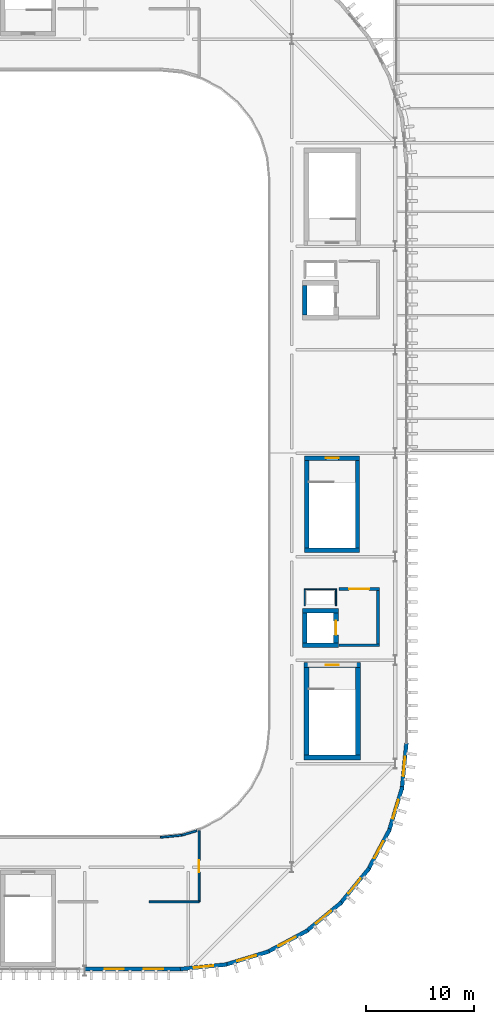
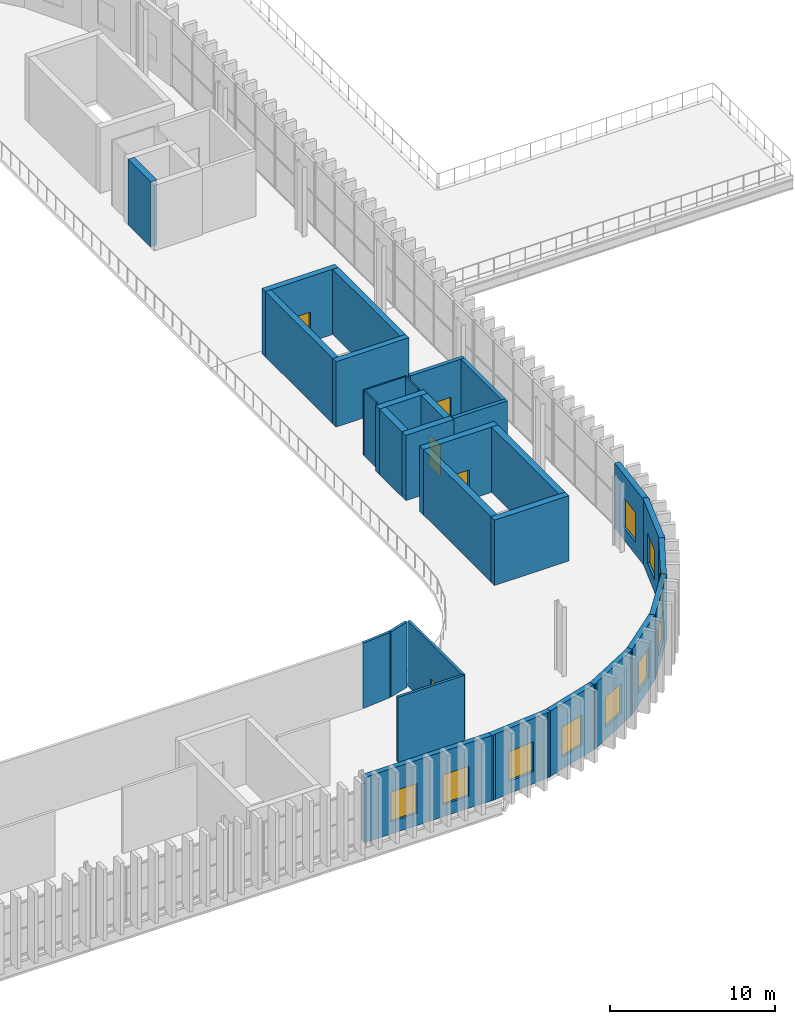
# One storey, part 32 of 45: 32 walls, 10 windows, 5 doors, 15 openings.
"""IFC4 building model written with IfcOpenShell, lengths in metres."""

from ifc_helpers import new_model, si_unit, direction, frame, frame_2d, origin, place, context, subcontext, project, spatial, rectangle, extrude, material, layer, layer_set, type_object, element, fill, save


model = new_model("IFC4")

# Units and contexts
model_context = context("Model", 3, precision=1e-05, world=origin(), true_north=direction((0.0, 1.0)))
body_context = subcontext(model_context, "Body", "Model", "MODEL_VIEW")
ifc_project = project(units=[si_unit("LENGTHUNIT", "METRE"), si_unit("AREAUNIT", "SQUARE_METRE"), si_unit("VOLUMEUNIT", "CUBIC_METRE"), si_unit("PLANEANGLEUNIT", "RADIAN"), si_unit("MASSUNIT", "GRAM", prefix="KILO")], contexts=[model_context])

# Site, building, storey
site_placement = place(None, origin())
site = spatial("IfcSite", under=ifc_project, at=site_placement, CompositionType="ELEMENT")
building_placement = place(site_placement, origin())
building = spatial("IfcBuilding", under=site, at=building_placement, Name="Caelomonte Colonnade Arena", CompositionType="ELEMENT")
storey_placement = place(building_placement, frame((0.0, 0.0, 23.10009765625)))
storey = spatial("IfcBuildingStorey", under=building, at=storey_placement, Name="L05", CompositionType="ELEMENT", Elevation=23.10009765625)

# Wall, openings, windows
ifc_material_1 = material(Name="Precast concrete C40/50", Category="concrete")
ifc_layer_1 = layer(ifc_material_1, 0.360107421875)
ifc_layer_set_1 = layer_set([ifc_layer_1], Name="Precast concrete C40/50")
wall_type_1 = type_object("IfcWallType", Name="ENV-WL-EXT36", PredefinedType="SOLIDWALL", material=ifc_layer_set_1)
wall_1_placement = place(storey_placement, frame((134.39990234375, 19.3798828125, 0.0), z_axis=(0.0, 0.0, 1.0), x_axis=(1.0, 0.0, 0.0)))
wall_1 = element("IfcWall", 1, at=wall_1_placement, inside=storey, type_object=wall_type_1, Name="L05 exterior wall EW-L05-0348", PredefinedType="SOLIDWALL", context=body_context, shape_type="SweptSolid", body=[
    extrude(rectangle(XDim=9.1201171875, YDim=0.360107421875, at=frame_2d((4.56005859375, 0.0))), origin(), (0.0, 0.0, 1.0), 4.81982421875),
])
opening_1_placement = place(wall_1_placement, frame((3.64013671875, 0.0, 0.89990234375), z_axis=(0.0, 0.0, 1.0), x_axis=(-1.0, 0.0, 0.0)))
opening_1 = element("IfcOpeningElement", 2, at=opening_1_placement, cuts=wall_1, Name="Opening WN-03", PredefinedType="OPENING", context=body_context, shape_type="SweptSolid", body=[
    extrude(rectangle(XDim=1.800048828125, YDim=2.199951171875, at=frame_2d((0.89990234375, 1.10009765625))), frame((0.0, 0.18994140625, 0.0), z_axis=(0.0, -1.0, 0.0), x_axis=(1.0, 0.0, 0.0)), (0.0, 0.0, 1.0), 0.380126953125),
])
opening_2_placement = place(wall_1_placement, frame((7.280029296875, 0.0, 0.89990234375), z_axis=(0.0, 0.0, 1.0), x_axis=(-1.0, 0.0, 0.0)))
opening_2 = element("IfcOpeningElement", 3, at=opening_2_placement, cuts=wall_1, Name="Opening WN-03", PredefinedType="OPENING", context=body_context, shape_type="SweptSolid", body=[
    extrude(rectangle(XDim=1.800048828125, YDim=2.199951171875, at=frame_2d((0.89990234375, 1.10009765625))), frame((0.0, 0.18994140625, 0.0), z_axis=(0.0, -1.0, 0.0), x_axis=(1.0, 0.0, 0.0)), (0.0, 0.0, 1.0), 0.380126953125),
])
ifc_material_2 = material(Name="Solar-control bronze low-E double glazing", Category="glass")
window_type = type_object("IfcWindowType", Name="ENV-WN-V3C", PartitioningType="DOUBLE_PANEL_VERTICAL", PredefinedType="WINDOW", material=ifc_material_2)
window_1_placement = place(opening_1_placement, origin())
window_1 = element("IfcWindow", 4, at=window_1_placement, inside=storey, type_object=window_type, Name="L05 facade window 308", OverallHeight=2.199951171875, OverallWidth=1.800048828125, PartitioningType="SINGLE_PANEL", PredefinedType="WINDOW", context=body_context, shape_type="SweptSolid", body=[
    extrude(rectangle(XDim=1.800048828125, YDim=2.199951171875, at=frame_2d((0.89990234375, 1.10009765625))), frame((0.0, 0.030029296875, 0.0), z_axis=(0.0, -1.0, 0.0), x_axis=(1.0, 0.0, 0.0)), (0.0, 0.0, 1.0), 0.06005859375),
])
fill(opening_1, window_1)
window_2_placement = place(opening_2_placement, origin())
window_2 = element("IfcWindow", 5, at=window_2_placement, inside=storey, type_object=window_type, Name="L05 facade window 309", OverallHeight=2.199951171875, OverallWidth=1.800048828125, PartitioningType="SINGLE_PANEL", PredefinedType="WINDOW", context=body_context, shape_type="SweptSolid", body=[
    extrude(rectangle(XDim=1.800048828125, YDim=2.199951171875, at=frame_2d((0.89990234375, 1.10009765625))), frame((0.0, 0.030029296875, 0.0), z_axis=(0.0, -1.0, 0.0), x_axis=(1.0, 0.0, 0.0)), (0.0, 0.0, 1.0), 0.06005859375),
])
fill(opening_2, window_2)

# Wall, opening, window
wall_2_placement = place(storey_placement, frame((143.262939453125, 19.367431640625, 0.0), z_axis=(0.0, 0.0, 1.0), x_axis=(0.99518532156, 0.098011100141, 0.0)))
wall_2 = element("IfcWall", 6, at=wall_2_placement, inside=storey, type_object=wall_type_1, Name="L05 exterior wall EW-L05-0349", PredefinedType="SOLIDWALL", context=body_context, shape_type="SweptSolid", body=[
    extrude(rectangle(XDim=4.356689453125, YDim=0.360107421875, at=frame_2d((2.17822265625, 0.0))), origin(), (0.0, 0.0, 1.0), 4.81982421875),
])
opening_3_placement = place(wall_2_placement, frame((3.078369140625, 0.0, 0.89990234375), z_axis=(0.0, 0.0, 1.0), x_axis=(-1.0, 0.0, 0.0)))
opening_3 = element("IfcOpeningElement", 7, at=opening_3_placement, cuts=wall_2, Name="Opening WN-03", PredefinedType="OPENING", context=body_context, shape_type="SweptSolid", body=[
    extrude(rectangle(XDim=1.800048828125, YDim=2.199951171875, at=frame_2d((0.89990234375, 1.10009765625))), frame((0.0, 0.18994140625, 0.0), z_axis=(0.0, -1.0, 0.0), x_axis=(1.0, 0.0, 0.0)), (0.0, 0.0, 1.0), 0.380126953125),
])
window_3_placement = place(opening_3_placement, origin())
window_3 = element("IfcWindow", 8, at=window_3_placement, inside=storey, type_object=window_type, Name="L05 facade window 310", OverallHeight=2.199951171875, OverallWidth=1.800048828125, PartitioningType="SINGLE_PANEL", PredefinedType="WINDOW", context=body_context, shape_type="SweptSolid", body=[
    extrude(rectangle(XDim=1.800048828125, YDim=2.199951171875, at=frame_2d((0.89990234375, 1.10009765625))), frame((0.0, 0.030029296875, 0.0), z_axis=(0.0, -1.0, 0.0), x_axis=(1.0, 0.0, 0.0)), (0.0, 0.0, 1.0), 0.06005859375),
])
fill(opening_3, window_3)

wall_3_placement = place(storey_placement, frame((147.329833984375, 19.740966796875, 0.0), z_axis=(0.0, 0.0, 1.0), x_axis=(0.956944247693, 0.290271780936, 0.0)))
wall_3 = element("IfcWall", 9, at=wall_3_placement, inside=storey, type_object=wall_type_1, Name="L05 exterior wall EW-L05-0350", PredefinedType="SOLIDWALL", context=body_context, shape_type="SweptSolid", body=[
    extrude(rectangle(XDim=4.356689453125, YDim=0.360107421875, at=frame_2d((2.17822265625, 0.0))), origin(), (0.0, 0.0, 1.0), 4.81982421875),
])
opening_4_placement = place(wall_3_placement, frame((3.078369140625, 0.0, 0.89990234375), z_axis=(0.0, 0.0, 1.0), x_axis=(-1.0, 0.0, 0.0)))
opening_4 = element("IfcOpeningElement", 10, at=opening_4_placement, cuts=wall_3, Name="Opening WN-03", PredefinedType="OPENING", context=body_context, shape_type="SweptSolid", body=[
    extrude(rectangle(XDim=1.800048828125, YDim=2.199951171875, at=frame_2d((0.89990234375, 1.10009765625))), frame((0.0, 0.18994140625, 0.0), z_axis=(0.0, -1.0, 0.0), x_axis=(1.0, 0.0, 0.0)), (0.0, 0.0, 1.0), 0.380126953125),
])
window_4_placement = place(opening_4_placement, origin())
window_4 = element("IfcWindow", 11, at=window_4_placement, inside=storey, type_object=window_type, Name="L05 facade window 311", OverallHeight=2.199951171875, OverallWidth=1.800048828125, PartitioningType="SINGLE_PANEL", PredefinedType="WINDOW", context=body_context, shape_type="SweptSolid", body=[
    extrude(rectangle(XDim=1.800048828125, YDim=2.199951171875, at=frame_2d((0.89990234375, 1.10009765625))), frame((0.0, 0.030029296875, 0.0), z_axis=(0.0, -1.0, 0.0), x_axis=(1.0, 0.0, 0.0)), (0.0, 0.0, 1.0), 0.06005859375),
])
fill(opening_4, window_4)

wall_4_placement = place(storey_placement, frame((151.24560546875, 20.900634765625, 0.0), z_axis=(0.0, 0.0, 1.0), x_axis=(0.881924438709, 0.471390797968, 0.0)))
wall_4 = element("IfcWall", 12, at=wall_4_placement, inside=storey, type_object=wall_type_1, Name="L05 exterior wall EW-L05-0351", PredefinedType="SOLIDWALL", context=body_context, shape_type="SweptSolid", body=[
    extrude(rectangle(XDim=4.356689453125, YDim=0.360107421875, at=frame_2d((2.17822265625, 0.0))), origin(), (0.0, 0.0, 1.0), 4.81982421875),
])
opening_5_placement = place(wall_4_placement, frame((3.078369140625, 0.0, 0.89990234375), z_axis=(0.0, 0.0, 1.0), x_axis=(-1.0, 0.0, 0.0)))
opening_5 = element("IfcOpeningElement", 13, at=opening_5_placement, cuts=wall_4, Name="Opening WN-03", PredefinedType="OPENING", context=body_context, shape_type="SweptSolid", body=[
    extrude(rectangle(XDim=1.800048828125, YDim=2.199951171875, at=frame_2d((0.89990234375, 1.10009765625))), frame((0.0, 0.18994140625, 0.0), z_axis=(0.0, -1.0, 0.0), x_axis=(1.0, 0.0, 0.0)), (0.0, 0.0, 1.0), 0.380126953125),
])
window_5_placement = place(opening_5_placement, origin())
window_5 = element("IfcWindow", 14, at=window_5_placement, inside=storey, type_object=window_type, Name="L05 facade window 312", OverallHeight=2.199951171875, OverallWidth=1.800048828125, PartitioningType="SINGLE_PANEL", PredefinedType="WINDOW", context=body_context, shape_type="SweptSolid", body=[
    extrude(rectangle(XDim=1.800048828125, YDim=2.199951171875, at=frame_2d((0.89990234375, 1.10009765625))), frame((0.0, 0.030029296875, 0.0), z_axis=(0.0, -1.0, 0.0), x_axis=(1.0, 0.0, 0.0)), (0.0, 0.0, 1.0), 0.06005859375),
])
fill(opening_5, window_5)

wall_5_placement = place(storey_placement, frame((154.860107421875, 22.802001953125, 0.0), z_axis=(0.0, 0.0, 1.0), x_axis=(0.772967672024, 0.634445409791, 0.0)))
wall_5 = element("IfcWall", 15, at=wall_5_placement, inside=storey, type_object=wall_type_1, Name="L05 exterior wall EW-L05-0352", PredefinedType="SOLIDWALL", context=body_context, shape_type="SweptSolid", body=[
    extrude(rectangle(XDim=4.35693359375, YDim=0.360107421875, at=frame_2d((2.178466796875, 0.0))), origin(), (0.0, 0.0, 1.0), 4.81982421875),
])
opening_6_placement = place(wall_5_placement, frame((3.078369140625, 0.0, 0.89990234375), z_axis=(0.0, 0.0, 1.0), x_axis=(-1.0, 0.0, 0.0)))
opening_6 = element("IfcOpeningElement", 16, at=opening_6_placement, cuts=wall_5, Name="Opening WN-03", PredefinedType="OPENING", context=body_context, shape_type="SweptSolid", body=[
    extrude(rectangle(XDim=1.800048828125, YDim=2.199951171875, at=frame_2d((0.89990234375, 1.10009765625))), frame((0.0, 0.18994140625, 0.0), z_axis=(0.0, -1.0, 0.0), x_axis=(1.0, 0.0, 0.0)), (0.0, 0.0, 1.0), 0.380126953125),
])
window_6_placement = place(opening_6_placement, origin())
window_6 = element("IfcWindow", 17, at=window_6_placement, inside=storey, type_object=window_type, Name="L05 facade window 313", OverallHeight=2.199951171875, OverallWidth=1.800048828125, PartitioningType="SINGLE_PANEL", PredefinedType="WINDOW", context=body_context, shape_type="SweptSolid", body=[
    extrude(rectangle(XDim=1.800048828125, YDim=2.199951171875, at=frame_2d((0.89990234375, 1.10009765625))), frame((0.0, 0.030029296875, 0.0), z_axis=(0.0, -1.0, 0.0), x_axis=(1.0, 0.0, 0.0)), (0.0, 0.0, 1.0), 0.06005859375),
])
fill(opening_6, window_6)

wall_6_placement = place(storey_placement, frame((158.033935546875, 25.372314453125, 0.0), z_axis=(0.0, 0.0, 1.0), x_axis=(0.634411927364, 0.772995152907, 0.0)))
wall_6 = element("IfcWall", 18, at=wall_6_placement, inside=storey, type_object=wall_type_1, Name="L05 exterior wall EW-L05-0353", PredefinedType="SOLIDWALL", context=body_context, shape_type="SweptSolid", body=[
    extrude(rectangle(XDim=4.356689453125, YDim=0.360107421875, at=frame_2d((2.17822265625, 0.0))), origin(), (0.0, 0.0, 1.0), 4.81982421875),
])
opening_7_placement = place(wall_6_placement, frame((3.078369140625, 0.0, 0.89990234375), z_axis=(0.0, 0.0, 1.0), x_axis=(-1.0, 0.0, 0.0)))
opening_7 = element("IfcOpeningElement", 19, at=opening_7_placement, cuts=wall_6, Name="Opening WN-03", PredefinedType="OPENING", context=body_context, shape_type="SweptSolid", body=[
    extrude(rectangle(XDim=1.800048828125, YDim=2.199951171875, at=frame_2d((0.89990234375, 1.10009765625))), frame((0.0, 0.18994140625, 0.0), z_axis=(0.0, -1.0, 0.0), x_axis=(1.0, 0.0, 0.0)), (0.0, 0.0, 1.0), 0.380126953125),
])
window_7_placement = place(opening_7_placement, origin())
window_7 = element("IfcWindow", 20, at=window_7_placement, inside=storey, type_object=window_type, Name="L05 facade window 314", OverallHeight=2.199951171875, OverallWidth=1.800048828125, PartitioningType="SINGLE_PANEL", PredefinedType="WINDOW", context=body_context, shape_type="SweptSolid", body=[
    extrude(rectangle(XDim=1.800048828125, YDim=2.199951171875, at=frame_2d((0.89990234375, 1.10009765625))), frame((0.0, 0.030029296875, 0.0), z_axis=(0.0, -1.0, 0.0), x_axis=(1.0, 0.0, 0.0)), (0.0, 0.0, 1.0), 0.06005859375),
])
fill(opening_7, window_7)

wall_7_placement = place(storey_placement, frame((160.6455078125, 28.511962890625, 0.0), z_axis=(0.0, 0.0, 1.0), x_axis=(0.471390797968, 0.881924438709, 0.0)))
wall_7 = element("IfcWall", 21, at=wall_7_placement, inside=storey, type_object=wall_type_1, Name="L05 exterior wall EW-L05-0354", PredefinedType="SOLIDWALL", context=body_context, shape_type="SweptSolid", body=[
    extrude(rectangle(XDim=4.356689453125, YDim=0.360107421875, at=frame_2d((2.17822265625, 0.0))), origin(), (0.0, 0.0, 1.0), 4.81982421875),
])
opening_8_placement = place(wall_7_placement, frame((3.078369140625, 0.0, 0.89990234375), z_axis=(0.0, 0.0, 1.0), x_axis=(-1.0, 0.0, 0.0)))
opening_8 = element("IfcOpeningElement", 22, at=opening_8_placement, cuts=wall_7, Name="Opening WN-03", PredefinedType="OPENING", context=body_context, shape_type="SweptSolid", body=[
    extrude(rectangle(XDim=1.800048828125, YDim=2.199951171875, at=frame_2d((0.89990234375, 1.10009765625))), frame((0.0, 0.18994140625, 0.0), z_axis=(0.0, -1.0, 0.0), x_axis=(1.0, 0.0, 0.0)), (0.0, 0.0, 1.0), 0.380126953125),
])
window_8_placement = place(opening_8_placement, origin())
window_8 = element("IfcWindow", 23, at=window_8_placement, inside=storey, type_object=window_type, Name="L05 facade window 315", OverallHeight=2.199951171875, OverallWidth=1.800048828125, PartitioningType="SINGLE_PANEL", PredefinedType="WINDOW", context=body_context, shape_type="SweptSolid", body=[
    extrude(rectangle(XDim=1.800048828125, YDim=2.199951171875, at=frame_2d((0.89990234375, 1.10009765625))), frame((0.0, 0.030029296875, 0.0), z_axis=(0.0, -1.0, 0.0), x_axis=(1.0, 0.0, 0.0)), (0.0, 0.0, 1.0), 0.06005859375),
])
fill(opening_8, window_8)

wall_8_placement = place(storey_placement, frame((162.594482421875, 32.10107421875, 0.0), z_axis=(0.0, 0.0, 1.0), x_axis=(0.290271780936, 0.956944247693, 0.0)))
wall_8 = element("IfcWall", 24, at=wall_8_placement, inside=storey, type_object=wall_type_1, Name="L05 exterior wall EW-L05-0355", PredefinedType="SOLIDWALL", context=body_context, shape_type="SweptSolid", body=[
    extrude(rectangle(XDim=4.356689453125, YDim=0.360107421875, at=frame_2d((2.17822265625, 0.0))), origin(), (0.0, 0.0, 1.0), 4.81982421875),
])
opening_9_placement = place(wall_8_placement, frame((3.078369140625, 0.0, 0.89990234375), z_axis=(0.0, 0.0, 1.0), x_axis=(-1.0, 0.0, 0.0)))
opening_9 = element("IfcOpeningElement", 25, at=opening_9_placement, cuts=wall_8, Name="Opening WN-03", PredefinedType="OPENING", context=body_context, shape_type="SweptSolid", body=[
    extrude(rectangle(XDim=1.800048828125, YDim=2.199951171875, at=frame_2d((0.89990234375, 1.10009765625))), frame((0.0, 0.18994140625, 0.0), z_axis=(0.0, -1.0, 0.0), x_axis=(1.0, 0.0, 0.0)), (0.0, 0.0, 1.0), 0.380126953125),
])
window_9_placement = place(opening_9_placement, origin())
window_9 = element("IfcWindow", 26, at=window_9_placement, inside=storey, type_object=window_type, Name="L05 facade window 316", OverallHeight=2.199951171875, OverallWidth=1.800048828125, PartitioningType="SINGLE_PANEL", PredefinedType="WINDOW", context=body_context, shape_type="SweptSolid", body=[
    extrude(rectangle(XDim=1.800048828125, YDim=2.199951171875, at=frame_2d((0.89990234375, 1.10009765625))), frame((0.0, 0.030029296875, 0.0), z_axis=(0.0, -1.0, 0.0), x_axis=(1.0, 0.0, 0.0)), (0.0, 0.0, 1.0), 0.06005859375),
])
fill(opening_9, window_9)

wall_9_placement = place(storey_placement, frame((163.8056640625, 36.001220703125, 0.0), z_axis=(0.0, 0.0, 1.0), x_axis=(0.098005634507, 0.99518585983, 0.0)))
wall_9 = element("IfcWall", 27, at=wall_9_placement, inside=storey, type_object=wall_type_1, Name="L05 exterior wall EW-L05-0356", PredefinedType="SOLIDWALL", context=body_context, shape_type="SweptSolid", body=[
    extrude(rectangle(XDim=4.35693359375, YDim=0.360107421875, at=frame_2d((2.178466796875, 0.0))), origin(), (0.0, 0.0, 1.0), 4.81982421875),
])
opening_10_placement = place(wall_9_placement, frame((3.078369140625, 0.0, 0.89990234375), z_axis=(0.0, 0.0, 1.0), x_axis=(-1.0, 0.0, 0.0)))
opening_10 = element("IfcOpeningElement", 28, at=opening_10_placement, cuts=wall_9, Name="Opening WN-03", PredefinedType="OPENING", context=body_context, shape_type="SweptSolid", body=[
    extrude(rectangle(XDim=1.800048828125, YDim=2.199951171875, at=frame_2d((0.89990234375, 1.10009765625))), frame((0.0, 0.18994140625, 0.0), z_axis=(0.0, -1.0, 0.0), x_axis=(1.0, 0.0, 0.0)), (0.0, 0.0, 1.0), 0.380126953125),
])
window_10_placement = place(opening_10_placement, origin())
window_10 = element("IfcWindow", 29, at=window_10_placement, inside=storey, type_object=window_type, Name="L05 facade window 317", OverallHeight=2.199951171875, OverallWidth=1.800048828125, PartitioningType="SINGLE_PANEL", PredefinedType="WINDOW", context=body_context, shape_type="SweptSolid", body=[
    extrude(rectangle(XDim=1.800048828125, YDim=2.199951171875, at=frame_2d((0.89990234375, 1.10009765625))), frame((0.0, 0.030029296875, 0.0), z_axis=(0.0, -1.0, 0.0), x_axis=(1.0, 0.0, 0.0)), (0.0, 0.0, 1.0), 0.06005859375),
])
fill(opening_10, window_10)

# Wall
ifc_material_3 = material(Name="Concrete C40/50", Category="concrete")
ifc_layer_2 = layer(ifc_material_3, 0.260009765625)
ifc_layer_set_2 = layer_set([ifc_layer_2], Name="Concrete C40/50")
wall_type_2 = type_object("IfcWallType", Name="INT-WL-FW26", PredefinedType="SOLIDWALL", material=ifc_layer_set_2)
wall_10_placement = place(storey_placement, frame((157.969970703125, 49.39990234375, 0.0), z_axis=(0.0, 0.0, 1.0), x_axis=(1.0, 0.0, 0.0)))
element("IfcWall", 30, at=wall_10_placement, inside=storey, type_object=wall_type_2, Name="FW-C2-LB L05 south enclosure wall", PredefinedType="SOLIDWALL", context=body_context, shape_type="SweptSolid", body=[
    extrude(rectangle(XDim=3.760009765625, YDim=0.260009765625, at=frame_2d((1.8798828125, 0.0))), origin(), (0.0, 0.0, 1.0), 4.81982421875),
])

# Wall, opening, door
wall_11_placement = place(storey_placement, frame((161.72998046875, 54.60009765625, 0.0), z_axis=(0.0, 0.0, 1.0), x_axis=(-1.0, 0.0, 0.0)))
wall_11 = element("IfcWall", 31, at=wall_11_placement, inside=storey, type_object=wall_type_2, Name="FW-C2-LB L05 north enclosure wall", PredefinedType="SOLIDWALL", context=body_context, shape_type="SweptSolid", body=[
    extrude(rectangle(XDim=3.760009765625, YDim=0.260009765625, at=frame_2d((1.8798828125, 0.0))), origin(), (0.0, 0.0, 1.0), 4.81982421875),
])
opening_11_placement = place(wall_11_placement, frame((2.80517578125, 0.0, 0.0), z_axis=(0.0, 0.0, 1.0), x_axis=(-1.0, 0.0, 0.0)))
opening_11 = element("IfcOpeningElement", 32, at=opening_11_placement, cuts=wall_11, Name="Opening FD-2", PredefinedType="OPENING", context=body_context, shape_type="SweptSolid", body=[
    extrude(rectangle(XDim=1.85009765625, YDim=2.25, at=frame_2d((0.925048828125, 1.125))), frame((0.0, 0.139892578125, 0.0), z_axis=(0.0, -1.0, 0.0), x_axis=(1.0, 0.0, 0.0)), (0.0, 0.0, 1.0), 0.280029296875),
])
ifc_material_4 = material(Name="Fire-rated double steel door", Category="steel")
door_type_1 = type_object("IfcDoorType", Name="INT-DR-FD90B", OperationType="DOUBLE_DOOR_SINGLE_SWING", PredefinedType="DOOR", material=ifc_material_4)
door_1_placement = place(opening_11_placement, origin())
door_1 = element("IfcDoor", 33, at=door_1_placement, inside=storey, type_object=door_type_1, Name="Core C2 L05 lobby fire door", OperationType="DOUBLE_DOOR_SINGLE_SWING", OverallHeight=2.25, OverallWidth=1.85009765625, PredefinedType="DOOR", context=body_context, shape_type="SweptSolid", body=[
    extrude(rectangle(XDim=1.85009765625, YDim=2.25, at=frame_2d((0.925048828125, 1.125))), frame((0.0, 0.02490234375, 0.0), z_axis=(0.0, -1.0, 0.0), x_axis=(1.0, 0.0, 0.0)), (0.0, 0.0, 1.0), 0.050048828125),
])
fill(opening_11, door_1)

# Walls
wall_12_placement = place(storey_placement, frame((161.60009765625, 49.530029296875, 0.0), z_axis=(0.0, 0.0, 1.0), x_axis=(0.0, 1.0, 0.0)))
element("IfcWall", 34, at=wall_12_placement, inside=storey, type_object=wall_type_2, Name="FW-C2-LB L05 east enclosure wall", PredefinedType="SOLIDWALL", context=body_context, shape_type="SweptSolid", body=[
    extrude(rectangle(XDim=4.93994140625, YDim=0.260009765625, at=frame_2d((2.469970703125, 0.0))), origin(), (0.0, 0.0, 1.0), 4.81982421875),
])
ifc_material_5 = material(Name="Service shaft lining partition")
ifc_layer_3 = layer(ifc_material_5, 0.10009765625)
ifc_layer_set_3 = layer_set([ifc_layer_3], Name="Service shaft lining partition")
wall_type_3 = type_object("IfcWallType", Name="INT-WL-PT10", PredefinedType="PARTITIONING", material=ifc_layer_set_3)
wall_13_placement = place(storey_placement, frame((157.75, 54.60009765625, 0.0), z_axis=(0.0, 0.0, 1.0), x_axis=(-1.0, 0.0, 0.0)))
element("IfcWall", 35, at=wall_13_placement, inside=storey, type_object=wall_type_3, Name="FW-C2-RS L05 north enclosure wall", PredefinedType="PARTITIONING", context=body_context, shape_type="SweptSolid", body=[
    extrude(rectangle(XDim=3.0, YDim=0.10009765625, at=frame_2d((1.5, 0.0))), origin(), (0.0, 0.0, 1.0), 4.81982421875),
])
for number, where, z_axis, x_axis, name in (
    (36, (154.800048828125, 54.550048828125, 0.0), (0.0, 0.0, 1.0), (0.0, -1.0, 0.0), "FW-C2-RS L05 west enclosure wall"),
    (37, (157.699951171875, 53.050048828125, 0.0), (0.0, 0.0, 1.0), (0.0, 1.0, 0.0), "FW-C2-RS L05 east enclosure wall"),
):
    element("IfcWall", number, at=place(storey_placement, frame(where, z_axis=z_axis, x_axis=x_axis)), inside=storey, type_object=wall_type_3, Name=name, PredefinedType="PARTITIONING", context=body_context, shape_type="SweptSolid", body=[
        extrude(rectangle(XDim=1.5, YDim=0.10009765625, at=frame_2d((0.75, 0.0))), origin(), (0.0, 0.0, 1.0), 4.81982421875),
    ])
ifc_material_6 = material(Name="Acoustic gypsum stud partition")
ifc_layer_4 = layer(ifc_material_6, 0.179931640625)
ifc_layer_set_4 = layer_set([ifc_layer_4], Name="Acoustic gypsum stud partition")
wall_type_4 = type_object("IfcWallType", Name="INT-WL-PT18", PredefinedType="PARTITIONING", material=ifc_layer_set_4)
wall_14_placement = place(storey_placement, frame((141.421630859375, 31.5810546875, 0.0), z_axis=(0.0, 0.0, 1.0), x_axis=(0.995185270943, 0.098011614095, 0.0)))
element("IfcWall", 38, at=wall_14_placement, inside=storey, type_object=wall_type_4, Name="L05 Broadcast Commentary Booths partition 257", PredefinedType="PARTITIONING", context=body_context, shape_type="SweptSolid", body=[
    extrude(rectangle(XDim=1.96044921875, YDim=0.179931640625, at=frame_2d((0.980224609375, 0.0))), origin(), (0.0, 0.0, 1.0), 4.81982421875),
])
wall_15_placement = place(storey_placement, frame((143.414794921875, 31.781494140625, 0.0), z_axis=(0.0, 0.0, 1.0), x_axis=(0.956921766266, 0.290345885534, 0.0)))
element("IfcWall", 39, at=wall_15_placement, inside=storey, type_object=wall_type_4, Name="L05 Broadcast Commentary Booths partition 258", PredefinedType="PARTITIONING", context=body_context, shape_type="SweptSolid", body=[
    extrude(rectangle(XDim=1.441162109375, YDim=0.179931640625, at=frame_2d((0.720703125, 0.0))), origin(), (0.0, 0.0, 1.0), 4.81982421875),
])

# Wall, opening, door
wall_16_placement = place(storey_placement, frame((145.0, 32.199951171875, 0.0), z_axis=(0.0, 0.0, 1.0), x_axis=(0.0, -1.0, 0.0)))
wall_16 = element("IfcWall", 40, at=wall_16_placement, inside=storey, type_object=wall_type_4, Name="L05 Broadcast Commentary Booths partition 259", PredefinedType="PARTITIONING", context=body_context, shape_type="SweptSolid", body=[
    extrude(rectangle(XDim=6.599853515625, YDim=0.179931640625, at=frame_2d((3.2998046875, 0.0))), origin(), (0.0, 0.0, 1.0), 4.81982421875),
])
opening_12_placement = place(wall_16_placement, frame((2.760009765625, 0.0, 0.0), z_axis=(0.0, 0.0, 1.0), x_axis=(1.0, 0.0, 0.0)))
opening_12 = element("IfcOpeningElement", 41, at=opening_12_placement, cuts=wall_16, Name="Opening D-L05-071", PredefinedType="OPENING", context=body_context, shape_type="SweptSolid", body=[
    extrude(rectangle(XDim=1.080078125, YDim=2.219970703125, at=frame_2d((0.5400390625, 1.10986328125))), frame((0.0, 0.099853515625, 0.0), z_axis=(0.0, -1.0, 0.0), x_axis=(1.0, 0.0, 0.0)), (0.0, 0.0, 1.0), 0.199951171875),
])
ifc_material_7 = material(Name="Acoustic broadcast studio door")
door_type_2 = type_object("IfcDoorType", Name="INT-DR-MED", OperationType="NOTDEFINED", PredefinedType="DOOR", material=ifc_material_7)
door_2_placement = place(opening_12_placement, origin())
door_2 = element("IfcDoor", 42, at=door_2_placement, inside=storey, type_object=door_type_2, Name="L05 Broadcast Commentary Booths door D-L05-071", OperationType="SINGLE_SWING_LEFT", OverallHeight=2.219970703125, OverallWidth=1.080078125, PredefinedType="DOOR", context=body_context, shape_type="SweptSolid", body=[
    extrude(rectangle(XDim=1.080078125, YDim=2.219970703125, at=frame_2d((0.5400390625, 1.10986328125))), frame((0.0, 0.02490234375, 0.0), z_axis=(0.0, -1.0, 0.0), x_axis=(1.0, 0.0, 0.0)), (0.0, 0.0, 1.0), 0.050048828125),
])
fill(opening_12, door_2)

# Walls
wall_17_placement = place(storey_placement, frame((145.0, 25.60009765625, 0.0), z_axis=(0.0, 0.0, 1.0), x_axis=(-1.0, 0.0, 0.0)))
element("IfcWall", 43, at=wall_17_placement, inside=storey, type_object=wall_type_4, Name="L05 Broadcast Commentary Booths partition 260", PredefinedType="PARTITIONING", context=body_context, shape_type="SweptSolid", body=[
    extrude(rectangle(XDim=4.6201171875, YDim=0.179931640625, at=frame_2d((2.31005859375, 0.0))), origin(), (0.0, 0.0, 1.0), 4.81982421875),
])
ifc_material_8 = material(Name="Concrete C50/60", Category="concrete")
ifc_layer_5 = layer(ifc_material_8, 0.39990234375)
ifc_layer_set_5 = layer_set([ifc_layer_5], Name="Concrete C50/60")
wall_type_5 = type_object("IfcWallType", Name="INT-WL-SH40", PredefinedType="SHEAR", material=ifc_layer_set_5)
wall_18_placement = place(storey_placement, frame((154.800048828125, 58.199951171875, 0.0), z_axis=(0.0, 0.0, 1.0), x_axis=(1.0, 0.0, 0.0)))
element("IfcWall", 44, at=wall_18_placement, inside=storey, type_object=wall_type_5, Name="CW-ST-10 L05 south enclosure wall", PredefinedType="SHEAR", context=body_context, shape_type="SweptSolid", body=[
    extrude(rectangle(XDim=5.099853515625, YDim=0.39990234375, at=frame_2d((2.5498046875, 0.0))), origin(), (0.0, 0.0, 1.0), 4.81982421875),
])

# Wall, opening, door
wall_19_placement = place(storey_placement, frame((159.89990234375, 66.75, 0.0), z_axis=(0.0, 0.0, 1.0), x_axis=(-1.0, 0.0, 0.0)))
wall_19 = element("IfcWall", 45, at=wall_19_placement, inside=storey, type_object=wall_type_5, Name="CW-ST-10 L05 north enclosure wall", PredefinedType="SHEAR", context=body_context, shape_type="SweptSolid", body=[
    extrude(rectangle(XDim=5.099853515625, YDim=0.39990234375, at=frame_2d((2.5498046875, 0.0))), origin(), (0.0, 0.0, 1.0), 4.81982421875),
])
opening_13_placement = place(wall_19_placement, frame((3.14990234375, 0.0, 0.0), z_axis=(0.0, 0.0, 1.0), x_axis=(-1.0, 0.0, 0.0)))
opening_13 = element("IfcOpeningElement", 46, at=opening_13_placement, cuts=wall_19, Name="Opening FD-1", PredefinedType="OPENING", context=body_context, shape_type="SweptSolid", body=[
    extrude(rectangle(XDim=1.199951171875, YDim=2.199951171875, at=frame_2d((0.60009765625, 1.10009765625))), frame((0.0, 0.2099609375, 0.0), z_axis=(0.0, -1.0, 0.0), x_axis=(1.0, 0.0, 0.0)), (0.0, 0.0, 1.0), 0.419921875),
])
ifc_material_9 = material(Name="Fire-rated steel door", Category="steel")
door_type_3 = type_object("IfcDoorType", Name="INT-DR-FD90A", OperationType="NOTDEFINED", PredefinedType="DOOR", material=ifc_material_9)
door_3_placement = place(opening_13_placement, origin())
door_3 = element("IfcDoor", 47, at=door_3_placement, inside=storey, type_object=door_type_3, Name="Protected exit stair ST-10 L05 fire door", OperationType="SINGLE_SWING_LEFT", OverallHeight=2.199951171875, OverallWidth=1.199951171875, PredefinedType="DOOR", context=body_context, shape_type="SweptSolid", body=[
    extrude(rectangle(XDim=1.199951171875, YDim=2.199951171875, at=frame_2d((0.60009765625, 1.10009765625))), frame((0.0, 0.02490234375, 0.0), z_axis=(0.0, -1.0, 0.0), x_axis=(1.0, 0.0, 0.0)), (0.0, 0.0, 1.0), 0.050048828125),
])
fill(opening_13, door_3)

# Walls
for number, where, z_axis, x_axis, name in (
    (48, (155.0, 66.550048828125, 0.0), (0.0, 0.0, 1.0), (0.0, -1.0, 0.0), "CW-ST-10 L05 west enclosure wall"),
    (49, (159.699951171875, 58.39990234375, 0.0), (0.0, 0.0, 1.0), (0.0, 1.0, 0.0), "CW-ST-10 L05 east enclosure wall"),
):
    element("IfcWall", number, at=place(storey_placement, frame(where, z_axis=z_axis, x_axis=x_axis)), inside=storey, type_object=wall_type_5, Name=name, PredefinedType="SHEAR", context=body_context, shape_type="SweptSolid", body=[
        extrude(rectangle(XDim=8.150146484375, YDim=0.39990234375, at=frame_2d((4.0751953125, 0.0))), origin(), (0.0, 0.0, 1.0), 4.81982421875),
    ])
ifc_layer_6 = layer(ifc_material_8, 0.449951171875)
ifc_layer_set_6 = layer_set([ifc_layer_6], Name="Concrete C50/60")
wall_type_6 = type_object("IfcWallType", Name="INT-WL-SH45", PredefinedType="SHEAR", material=ifc_layer_set_6)
wall_20_placement = place(storey_placement, frame((154.75, 38.97509765625, 0.0), z_axis=(0.0, 0.0, 1.0), x_axis=(1.0, 0.0, 0.0)))
element("IfcWall", 50, at=wall_20_placement, inside=storey, type_object=wall_type_6, Name="CW-C2-ST L05 south enclosure wall", PredefinedType="SHEAR", context=body_context, shape_type="SweptSolid", body=[
    extrude(rectangle(XDim=5.199951171875, YDim=0.449951171875, at=frame_2d((2.60009765625, 0.0))), origin(), (0.0, 0.0, 1.0), 4.81982421875),
])

# Wall, opening, door
wall_21_placement = place(storey_placement, frame((159.949951171875, 47.574951171875, 0.0), z_axis=(0.0, 0.0, 1.0), x_axis=(-1.0, 0.0, 0.0)))
wall_21 = element("IfcWall", 51, at=wall_21_placement, inside=storey, type_object=wall_type_6, Name="CW-C2-ST L05 north enclosure wall", PredefinedType="SHEAR", context=body_context, shape_type="SweptSolid", body=[
    extrude(rectangle(XDim=5.199951171875, YDim=0.449951171875, at=frame_2d((2.60009765625, 0.0))), origin(), (0.0, 0.0, 1.0), 4.81982421875),
])
opening_14_placement = place(wall_21_placement, frame((3.199951171875, 0.0, 0.0), z_axis=(0.0, 0.0, 1.0), x_axis=(-1.0, 0.0, 0.0)))
opening_14 = element("IfcOpeningElement", 52, at=opening_14_placement, cuts=wall_21, Name="Opening FD-1", PredefinedType="OPENING", context=body_context, shape_type="SweptSolid", body=[
    extrude(rectangle(XDim=1.199951171875, YDim=2.199951171875, at=frame_2d((0.60009765625, 1.10009765625))), frame((0.0, 0.23486328125, 0.0), z_axis=(0.0, -1.0, 0.0), x_axis=(1.0, 0.0, 0.0)), (0.0, 0.0, 1.0), 0.469970703125),
])
door_4_placement = place(opening_14_placement, origin())
door_4 = element("IfcDoor", 53, at=door_4_placement, inside=storey, type_object=door_type_3, Name="Core C2 L05 exit stair fire door", OperationType="SINGLE_SWING_RIGHT", OverallHeight=2.199951171875, OverallWidth=1.199951171875, PredefinedType="DOOR", context=body_context, shape_type="SweptSolid", body=[
    extrude(rectangle(XDim=1.199951171875, YDim=2.199951171875, at=frame_2d((0.60009765625, 1.10009765625))), frame((0.0, 0.02490234375, 0.0), z_axis=(0.0, -1.0, 0.0), x_axis=(1.0, 0.0, 0.0)), (0.0, 0.0, 1.0), 0.050048828125),
])
fill(opening_14, door_4)

# Walls
for number, where, z_axis, x_axis, name in (
    (54, (154.97509765625, 47.35009765625, 0.0), (0.0, 0.0, 1.0), (0.0, -1.0, 0.0), "CW-C2-ST L05 west enclosure wall"),
    (55, (159.72509765625, 39.199951171875, 0.0), (0.0, 0.0, 1.0), (0.0, 1.0, 0.0), "CW-C2-ST L05 east enclosure wall"),
):
    element("IfcWall", number, at=place(storey_placement, frame(where, z_axis=z_axis, x_axis=x_axis)), inside=storey, type_object=wall_type_6, Name=name, PredefinedType="SHEAR", context=body_context, shape_type="SweptSolid", body=[
        extrude(rectangle(XDim=8.150146484375, YDim=0.449951171875, at=frame_2d((4.0751953125, 0.0))), origin(), (0.0, 0.0, 1.0), 4.81982421875),
    ])
for number, where, z_axis, x_axis, name in (
    (56, (154.574951171875, 49.39990234375, 0.0), (0.0, 0.0, 1.0), (1.0, 0.0, 0.0), "CW-C2-LF L05 south enclosure wall"),
    (57, (157.925048828125, 52.60009765625, 0.0), (0.0, 0.0, 1.0), (-1.0, 0.0, 0.0), "CW-C2-LF L05 north enclosure wall"),
):
    element("IfcWall", number, at=place(storey_placement, frame(where, z_axis=z_axis, x_axis=x_axis)), inside=storey, type_object=wall_type_6, Name=name, PredefinedType="SHEAR", context=body_context, shape_type="SweptSolid", body=[
        extrude(rectangle(XDim=3.35009765625, YDim=0.449951171875, at=frame_2d((1.675048828125, 0.0))), origin(), (0.0, 0.0, 1.0), 4.81982421875),
    ])
wall_22_placement = place(storey_placement, frame((154.800048828125, 52.375, 0.0), z_axis=(0.0, 0.0, 1.0), x_axis=(0.0, -1.0, 0.0)))
element("IfcWall", 58, at=wall_22_placement, inside=storey, type_object=wall_type_6, Name="CW-C2-LF L05 west enclosure wall", PredefinedType="SHEAR", context=body_context, shape_type="SweptSolid", body=[
    extrude(rectangle(XDim=2.75, YDim=0.449951171875, at=frame_2d((1.375, 0.0))), origin(), (0.0, 0.0, 1.0), 4.81982421875),
])

# Wall, opening, door
wall_23_placement = place(storey_placement, frame((157.699951171875, 49.625, 0.0), z_axis=(0.0, 0.0, 1.0), x_axis=(0.0, 1.0, 0.0)))
wall_23 = element("IfcWall", 59, at=wall_23_placement, inside=storey, type_object=wall_type_6, Name="CW-C2-LF L05 east enclosure wall", PredefinedType="SHEAR", context=body_context, shape_type="SweptSolid", body=[
    extrude(rectangle(XDim=2.75, YDim=0.449951171875, at=frame_2d((1.375, 0.0))), origin(), (0.0, 0.0, 1.0), 4.81982421875),
])
opening_15_placement = place(wall_23_placement, frame((0.72509765625, 0.0, 0.0), z_axis=(0.0, 0.0, 1.0), x_axis=(1.0, 0.0, 0.0)))
opening_15 = element("IfcOpeningElement", 60, at=opening_15_placement, cuts=wall_23, Name="Opening LD-FL-02-L05", PredefinedType="OPENING", context=body_context, shape_type="SweptSolid", body=[
    extrude(rectangle(XDim=1.300048828125, YDim=2.25, at=frame_2d((0.64990234375, 1.125))), frame((0.0, 0.23486328125, 0.0), z_axis=(0.0, -1.0, 0.0), x_axis=(1.0, 0.0, 0.0)), (0.0, 0.0, 1.0), 0.469970703125),
])
ifc_material_10 = material(Name="Firefighting lift landing door")
door_type_4 = type_object("IfcDoorType", Name="INT-DR-LD2", OperationType="SLIDING_TO_RIGHT", PredefinedType="DOOR", material=ifc_material_10)
door_5_placement = place(opening_15_placement, origin())
door_5 = element("IfcDoor", 61, at=door_5_placement, inside=storey, type_object=door_type_4, Name="Lift FL-02 L05 sliding landing door", OperationType="SLIDING_TO_RIGHT", OverallHeight=2.25, OverallWidth=1.300048828125, PredefinedType="DOOR", context=body_context, shape_type="SweptSolid", body=[
    extrude(rectangle(XDim=1.300048828125, YDim=2.25, at=frame_2d((0.64990234375, 1.125))), frame((0.0, 0.02490234375, 0.0), z_axis=(0.0, -1.0, 0.0), x_axis=(1.0, 0.0, 0.0)), (0.0, 0.0, 1.0), 0.050048828125),
])
fill(opening_15, door_5)

# Wall
wall_24_placement = place(storey_placement, frame((154.800048828125, 82.77490234375, 0.0), z_axis=(0.0, 0.0, 1.0), x_axis=(0.0, -1.0, 0.0)))
element("IfcWall", 62, at=wall_24_placement, inside=storey, type_object=wall_type_6, Name="CW-C3-LF L05 west enclosure wall", PredefinedType="SHEAR", context=body_context, shape_type="SweptSolid", body=[
    extrude(rectangle(XDim=2.75, YDim=0.449951171875, at=frame_2d((1.375, 0.0))), origin(), (0.0, 0.0, 1.0), 4.81982421875),
])

save(model, "model.ifc")
